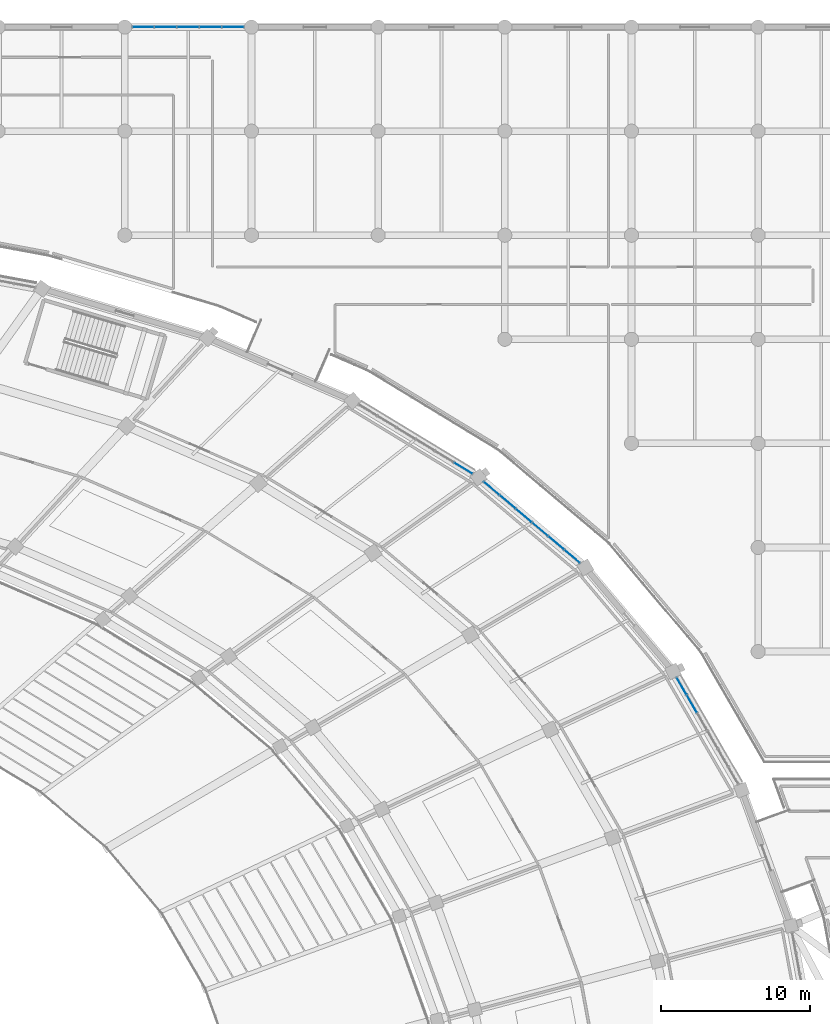
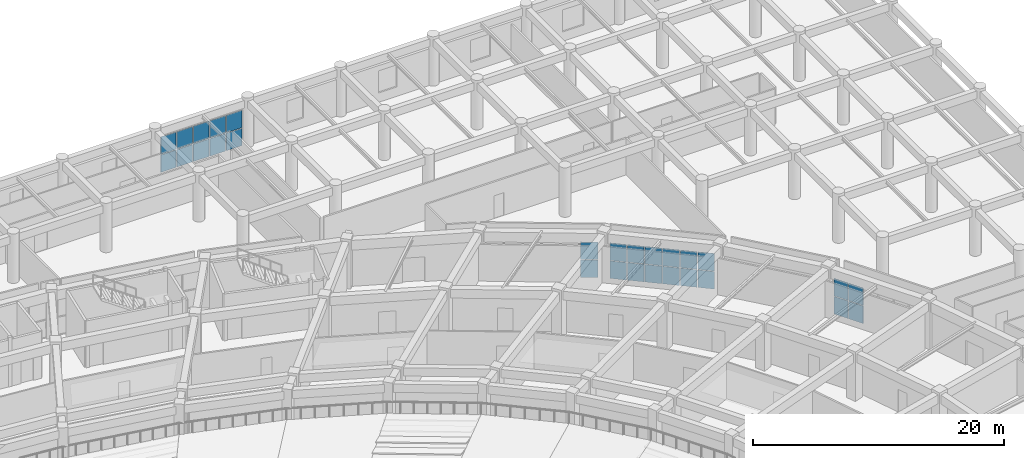
# One storey, part 93 of 152: 28 plates, 4 elements without a shape of their own.
"""IFC4 building model written with IfcOpenShell, lengths in metres."""

from ifc_helpers import new_model, si_unit, direction, frame, origin, origin_2d, place, context, subcontext, project, spatial, rectangle, extrude, material, layer, layer_set, type_object, element, aggregate, save


model = new_model("IFC4")

# Units and contexts
model_context = context("Model", 3, precision=1e-05, world=origin(), true_north=direction((0.0, 1.0)))
body_context = subcontext(model_context, "Body", "Model", "MODEL_VIEW")
ifc_project = project(units=[si_unit("LENGTHUNIT", "METRE"), si_unit("AREAUNIT", "SQUARE_METRE"), si_unit("VOLUMEUNIT", "CUBIC_METRE"), si_unit("PLANEANGLEUNIT", "RADIAN"), si_unit("MASSUNIT", "GRAM", prefix="KILO")], contexts=[model_context])

# Site, building, storey
site_placement = place(None, origin())
site = spatial("IfcSite", under=ifc_project, at=site_placement, CompositionType="ELEMENT")
building_placement = place(site_placement, origin())
building = spatial("IfcBuilding", under=site, at=building_placement, Name="Mphavela Belvedere Stadium", CompositionType="ELEMENT")
storey_placement = place(building_placement, frame((0.0, 0.0, 5.39990234375)))
storey = spatial("IfcBuildingStorey", under=building, at=storey_placement, Name="L01", CompositionType="ELEMENT", Elevation=5.39990234375)

# Curtain wall, plates
ifc_material_1 = material(Name="Anodised bronze unitised curtain wall framing")
ifc_layer_1 = layer(ifc_material_1, 0.18505859375)
ifc_layer_set_1 = layer_set([ifc_layer_1], Name="Anodised bronze unitised curtain wall framing")
curtain_wall_type_1 = type_object("IfcCurtainWallType", Name="CW-UNIT-02", PredefinedType="USERDEFINED", material=ifc_layer_set_1)
curtain_wall_1_placement = place(storey_placement, origin())
curtain_wall_1 = element("IfcCurtainWall", 1, at=curtain_wall_1_placement, inside=storey, type_object=curtain_wall_type_1, Name="Belvedere colonnade curtain wall L01-04", ObjectType="UNITISED CURTAIN WALL", PredefinedType="USERDEFINED")
ifc_material_2 = material(Name="Solar-control double glazing", Category="glass")
ifc_layer_2 = layer(ifc_material_2, 0.031982421875)
ifc_layer_set_2 = layer_set([ifc_layer_2], Name="Solar-control double glazing")
plate_type = type_object("IfcPlateType", Name="CWP-SOLAR-GLASS", PredefinedType="CURTAIN_PANEL", material=ifc_layer_set_2)
plate_1_placement = place(storey_placement, frame((208.501708984375, 128.483642578125, 0.06005859375), z_axis=(0.0, 0.0, 1.0), x_axis=(-0.500560586125, 0.865701507229, 0.0)))
plate_1 = element("IfcPlate", 2, at=plate_1_placement, type_object=plate_type, Name="CW-02 panel 5.1", PredefinedType="CURTAIN_PANEL", context=body_context, shape_type="SweptSolid", body=[
    extrude(rectangle(XDim=1.330078125, YDim=0.031982421875, at=origin_2d()), origin(), (0.0, 0.0, 1.0), 1.695068359375),
])
plate_2_placement = place(storey_placement, frame((208.501708984375, 128.483642578125, 1.81494140625), z_axis=(0.0, 0.0, 1.0), x_axis=(-0.500560586125, 0.865701507229, 0.0)))
plate_2 = element("IfcPlate", 3, at=plate_2_placement, type_object=plate_type, Name="CW-02 panel 5.2", PredefinedType="CURTAIN_PANEL", context=body_context, shape_type="SweptSolid", body=[
    extrude(rectangle(XDim=1.330078125, YDim=0.031982421875, at=origin_2d()), origin(), (0.0, 0.0, 1.0), 1.695068359375),
])
plate_3_placement = place(storey_placement, frame((207.8115234375, 129.67724609375, 0.06005859375), z_axis=(0.0, 0.0, 1.0), x_axis=(-0.500560586125, 0.865701507229, 0.0)))
plate_3 = element("IfcPlate", 4, at=plate_3_placement, type_object=plate_type, Name="CW-02 panel 6.1", PredefinedType="CURTAIN_PANEL", context=body_context, shape_type="SweptSolid", body=[
    extrude(rectangle(XDim=1.297607421875, YDim=0.031982421875, at=origin_2d()), origin(), (0.0, 0.0, 1.0), 1.695068359375),
])
plate_4_placement = place(storey_placement, frame((207.8115234375, 129.67724609375, 1.81494140625), z_axis=(0.0, 0.0, 1.0), x_axis=(-0.500560586125, 0.865701507229, 0.0)))
plate_4 = element("IfcPlate", 5, at=plate_4_placement, type_object=plate_type, Name="CW-02 panel 6.2", PredefinedType="CURTAIN_PANEL", context=body_context, shape_type="SweptSolid", body=[
    extrude(rectangle(XDim=1.297607421875, YDim=0.031982421875, at=origin_2d()), origin(), (0.0, 0.0, 1.0), 1.695068359375),
])
aggregate(curtain_wall_1, [plate_1, plate_2, plate_3, plate_4])

ifc_material_3 = material(Name="Anodised bronze unitised curtain wall framing")
ifc_layer_3 = layer(ifc_material_3, 0.18994140625)
ifc_layer_set_3 = layer_set([ifc_layer_3], Name="Anodised bronze unitised curtain wall framing")
curtain_wall_type_2 = type_object("IfcCurtainWallType", Name="CW-UNIT-03", PredefinedType="USERDEFINED", material=ifc_layer_set_3)
curtain_wall_2_placement = place(storey_placement, origin())
curtain_wall_2 = element("IfcCurtainWall", 6, at=curtain_wall_2_placement, inside=storey, type_object=curtain_wall_type_2, Name="Belvedere colonnade curtain wall L01-06", ObjectType="UNITISED CURTAIN WALL", PredefinedType="USERDEFINED")
plate_5_placement = place(storey_placement, frame((200.4580078125, 138.396484375, 0.06005859375), z_axis=(0.0, 0.0, 1.0), x_axis=(-0.76425888519, 0.644909572272, 0.0)))
plate_5 = element("IfcPlate", 7, at=plate_5_placement, type_object=plate_type, Name="CW-03 panel 1.1", PredefinedType="CURTAIN_PANEL", context=body_context, shape_type="SweptSolid", body=[
    extrude(rectangle(XDim=1.327880859375, YDim=0.031982421875, at=origin_2d()), origin(), (0.0, 0.0, 1.0), 1.695068359375),
])
plate_6_placement = place(storey_placement, frame((200.4580078125, 138.396484375, 1.81494140625), z_axis=(0.0, 0.0, 1.0), x_axis=(-0.76425888519, 0.644909572272, 0.0)))
plate_6 = element("IfcPlate", 8, at=plate_6_placement, type_object=plate_type, Name="CW-03 panel 1.2", PredefinedType="CURTAIN_PANEL", context=body_context, shape_type="SweptSolid", body=[
    extrude(rectangle(XDim=1.327880859375, YDim=0.031982421875, at=origin_2d()), origin(), (0.0, 0.0, 1.0), 1.695068359375),
])
plate_7_placement = place(storey_placement, frame((199.380859375, 139.30517578125, 0.06005859375), z_axis=(0.0, 0.0, 1.0), x_axis=(-0.76425888519, 0.644909572272, 0.0)))
plate_7 = element("IfcPlate", 9, at=plate_7_placement, type_object=plate_type, Name="CW-03 panel 2.1", PredefinedType="CURTAIN_PANEL", context=body_context, shape_type="SweptSolid", body=[
    extrude(rectangle(XDim=1.3603515625, YDim=0.031982421875, at=origin_2d()), origin(), (0.0, 0.0, 1.0), 1.695068359375),
])
plate_8_placement = place(storey_placement, frame((199.380859375, 139.30517578125, 1.81494140625), z_axis=(0.0, 0.0, 1.0), x_axis=(-0.76425888519, 0.644909572272, 0.0)))
plate_8 = element("IfcPlate", 10, at=plate_8_placement, type_object=plate_type, Name="CW-03 panel 2.2", PredefinedType="CURTAIN_PANEL", context=body_context, shape_type="SweptSolid", body=[
    extrude(rectangle(XDim=1.3603515625, YDim=0.031982421875, at=origin_2d()), origin(), (0.0, 0.0, 1.0), 1.695068359375),
])
plate_9_placement = place(storey_placement, frame((198.29150390625, 140.224365234375, 0.06005859375), z_axis=(0.0, 0.0, 1.0), x_axis=(-0.76425888519, 0.644909572272, 0.0)))
plate_9 = element("IfcPlate", 11, at=plate_9_placement, type_object=plate_type, Name="CW-03 panel 3.1", PredefinedType="CURTAIN_PANEL", context=body_context, shape_type="SweptSolid", body=[
    extrude(rectangle(XDim=1.3603515625, YDim=0.031982421875, at=origin_2d()), origin(), (0.0, 0.0, 1.0), 1.695068359375),
])
plate_10_placement = place(storey_placement, frame((198.29150390625, 140.224365234375, 1.81494140625), z_axis=(0.0, 0.0, 1.0), x_axis=(-0.76425888519, 0.644909572272, 0.0)))
plate_10 = element("IfcPlate", 12, at=plate_10_placement, type_object=plate_type, Name="CW-03 panel 3.2", PredefinedType="CURTAIN_PANEL", context=body_context, shape_type="SweptSolid", body=[
    extrude(rectangle(XDim=1.3603515625, YDim=0.031982421875, at=origin_2d()), origin(), (0.0, 0.0, 1.0), 1.695068359375),
])
plate_11_placement = place(storey_placement, frame((197.202392578125, 141.1435546875, 0.06005859375), z_axis=(0.0, 0.0, 1.0), x_axis=(-0.76425888519, 0.644909572272, 0.0)))
plate_11 = element("IfcPlate", 13, at=plate_11_placement, type_object=plate_type, Name="CW-03 panel 4.1", PredefinedType="CURTAIN_PANEL", context=body_context, shape_type="SweptSolid", body=[
    extrude(rectangle(XDim=1.3603515625, YDim=0.031982421875, at=origin_2d()), origin(), (0.0, 0.0, 1.0), 1.695068359375),
])
plate_12_placement = place(storey_placement, frame((197.202392578125, 141.1435546875, 1.81494140625), z_axis=(0.0, 0.0, 1.0), x_axis=(-0.76425888519, 0.644909572272, 0.0)))
plate_12 = element("IfcPlate", 14, at=plate_12_placement, type_object=plate_type, Name="CW-03 panel 4.2", PredefinedType="CURTAIN_PANEL", context=body_context, shape_type="SweptSolid", body=[
    extrude(rectangle(XDim=1.3603515625, YDim=0.031982421875, at=origin_2d()), origin(), (0.0, 0.0, 1.0), 1.695068359375),
])
plate_13_placement = place(storey_placement, frame((196.113037109375, 142.062744140625, 0.06005859375), z_axis=(0.0, 0.0, 1.0), x_axis=(-0.76425888519, 0.644909572272, 0.0)))
plate_13 = element("IfcPlate", 15, at=plate_13_placement, type_object=plate_type, Name="CW-03 panel 5.1", PredefinedType="CURTAIN_PANEL", context=body_context, shape_type="SweptSolid", body=[
    extrude(rectangle(XDim=1.3603515625, YDim=0.031982421875, at=origin_2d()), origin(), (0.0, 0.0, 1.0), 1.695068359375),
])
plate_14_placement = place(storey_placement, frame((196.113037109375, 142.062744140625, 1.81494140625), z_axis=(0.0, 0.0, 1.0), x_axis=(-0.76425888519, 0.644909572272, 0.0)))
plate_14 = element("IfcPlate", 16, at=plate_14_placement, type_object=plate_type, Name="CW-03 panel 5.2", PredefinedType="CURTAIN_PANEL", context=body_context, shape_type="SweptSolid", body=[
    extrude(rectangle(XDim=1.3603515625, YDim=0.031982421875, at=origin_2d()), origin(), (0.0, 0.0, 1.0), 1.695068359375),
])
plate_15_placement = place(storey_placement, frame((195.035888671875, 142.9716796875, 0.06005859375), z_axis=(0.0, 0.0, 1.0), x_axis=(-0.76425888519, 0.644909572272, 0.0)))
plate_15 = element("IfcPlate", 17, at=plate_15_placement, type_object=plate_type, Name="CW-03 panel 6.1", PredefinedType="CURTAIN_PANEL", context=body_context, shape_type="SweptSolid", body=[
    extrude(rectangle(XDim=1.327880859375, YDim=0.031982421875, at=origin_2d()), origin(), (0.0, 0.0, 1.0), 1.695068359375),
])
plate_16_placement = place(storey_placement, frame((195.035888671875, 142.9716796875, 1.81494140625), z_axis=(0.0, 0.0, 1.0), x_axis=(-0.76425888519, 0.644909572272, 0.0)))
plate_16 = element("IfcPlate", 18, at=plate_16_placement, type_object=plate_type, Name="CW-03 panel 6.2", PredefinedType="CURTAIN_PANEL", context=body_context, shape_type="SweptSolid", body=[
    extrude(rectangle(XDim=1.327880859375, YDim=0.031982421875, at=origin_2d()), origin(), (0.0, 0.0, 1.0), 1.695068359375),
])
aggregate(curtain_wall_2, [plate_5, plate_6, plate_7, plate_8, plate_9, plate_10, plate_11, plate_12, plate_13, plate_14, plate_15, plate_16])

ifc_material_4 = material(Name="Anodised bronze unitised curtain wall framing")
ifc_layer_4 = layer(ifc_material_4, 0.195068359375)
ifc_layer_set_4 = layer_set([ifc_layer_4], Name="Anodised bronze unitised curtain wall framing")
curtain_wall_type_3 = type_object("IfcCurtainWallType", Name="CW-UNIT-04", PredefinedType="USERDEFINED", material=ifc_layer_set_4)
curtain_wall_3_placement = place(storey_placement, origin())
curtain_wall_3 = element("IfcCurtainWall", 19, at=curtain_wall_3_placement, inside=storey, type_object=curtain_wall_type_3, Name="Belvedere colonnade curtain wall L01-07", ObjectType="UNITISED CURTAIN WALL", PredefinedType="USERDEFINED")
plate_17_placement = place(storey_placement, frame((193.135498046875, 144.3349609375, 0.06005859375), z_axis=(0.0, 0.0, 1.0), x_axis=(-0.8543277514, 0.51973463728, 0.0)))
plate_17 = element("IfcPlate", 20, at=plate_17_placement, type_object=plate_type, Name="CW-04 panel 1.1", PredefinedType="CURTAIN_PANEL", context=body_context, shape_type="SweptSolid", body=[
    extrude(rectangle(XDim=1.411865234375, YDim=0.031982421875, at=origin_2d()), origin(), (0.0, 0.0, 1.0), 1.695068359375),
])
plate_18_placement = place(storey_placement, frame((193.135498046875, 144.3349609375, 1.81494140625), z_axis=(0.0, 0.0, 1.0), x_axis=(-0.8543277514, 0.51973463728, 0.0)))
plate_18 = element("IfcPlate", 21, at=plate_18_placement, type_object=plate_type, Name="CW-04 panel 1.2", PredefinedType="CURTAIN_PANEL", context=body_context, shape_type="SweptSolid", body=[
    extrude(rectangle(XDim=1.411865234375, YDim=0.031982421875, at=origin_2d()), origin(), (0.0, 0.0, 1.0), 1.695068359375),
])
aggregate(curtain_wall_3, [plate_17, plate_18])

curtain_wall_4_placement = place(storey_placement, origin())
curtain_wall_4 = element("IfcCurtainWall", 22, at=curtain_wall_4_placement, inside=storey, type_object=curtain_wall_type_2, Name="North Mast and Ceremonial End Forecourt gallery curtain wall L01-21", ObjectType="UNITISED CURTAIN WALL", PredefinedType="USERDEFINED")
plate_19_placement = place(storey_placement, frame((171.616455078125, 174.0, 0.06005859375), z_axis=(0.0, 0.0, 1.0), x_axis=(1.0, 0.0, 0.0)))
plate_19 = element("IfcPlate", 23, at=plate_19_placement, type_object=plate_type, Name="CW-03 panel 1.1", PredefinedType="CURTAIN_PANEL", context=body_context, shape_type="SweptSolid", body=[
    extrude(rectangle(XDim=1.4169921875, YDim=0.031982421875, at=origin_2d()), origin(), (0.0, 0.0, 1.0), 1.68994140625),
])
plate_20_placement = place(storey_placement, frame((171.616455078125, 174.0, 1.81005859375), z_axis=(0.0, 0.0, 1.0), x_axis=(1.0, 0.0, 0.0)))
plate_20 = element("IfcPlate", 24, at=plate_20_placement, type_object=plate_type, Name="CW-03 panel 1.2", PredefinedType="CURTAIN_PANEL", context=body_context, shape_type="SweptSolid", body=[
    extrude(rectangle(XDim=1.4169921875, YDim=0.031982421875, at=origin_2d()), origin(), (0.0, 0.0, 1.0), 1.68994140625),
])
plate_21_placement = place(storey_placement, frame((173.114990234375, 174.0, 0.06005859375), z_axis=(0.0, 0.0, 1.0), x_axis=(1.0, 0.0, 0.0)))
plate_21 = element("IfcPlate", 25, at=plate_21_placement, type_object=plate_type, Name="CW-03 panel 2.1", PredefinedType="CURTAIN_PANEL", context=body_context, shape_type="SweptSolid", body=[
    extrude(rectangle(XDim=1.44970703125, YDim=0.031982421875, at=origin_2d()), origin(), (0.0, 0.0, 1.0), 1.68994140625),
])
plate_22_placement = place(storey_placement, frame((173.114990234375, 174.0, 1.81005859375), z_axis=(0.0, 0.0, 1.0), x_axis=(1.0, 0.0, 0.0)))
plate_22 = element("IfcPlate", 26, at=plate_22_placement, type_object=plate_type, Name="CW-03 panel 2.2", PredefinedType="CURTAIN_PANEL", context=body_context, shape_type="SweptSolid", body=[
    extrude(rectangle(XDim=1.44970703125, YDim=0.031982421875, at=origin_2d()), origin(), (0.0, 0.0, 1.0), 1.68994140625),
])
plate_23_placement = place(storey_placement, frame((174.62939453125, 174.0, 0.06005859375), z_axis=(0.0, 0.0, 1.0), x_axis=(1.0, 0.0, 0.0)))
plate_23 = element("IfcPlate", 27, at=plate_23_placement, type_object=plate_type, Name="CW-03 panel 3.1", PredefinedType="CURTAIN_PANEL", context=body_context, shape_type="SweptSolid", body=[
    extrude(rectangle(XDim=1.44970703125, YDim=0.031982421875, at=origin_2d()), origin(), (0.0, 0.0, 1.0), 1.68994140625),
])
plate_24_placement = place(storey_placement, frame((174.62939453125, 174.0, 1.81005859375), z_axis=(0.0, 0.0, 1.0), x_axis=(1.0, 0.0, 0.0)))
plate_24 = element("IfcPlate", 28, at=plate_24_placement, type_object=plate_type, Name="CW-03 panel 3.2", PredefinedType="CURTAIN_PANEL", context=body_context, shape_type="SweptSolid", body=[
    extrude(rectangle(XDim=1.44970703125, YDim=0.031982421875, at=origin_2d()), origin(), (0.0, 0.0, 1.0), 1.68994140625),
])
plate_25_placement = place(storey_placement, frame((176.14404296875, 174.0, 0.06005859375), z_axis=(0.0, 0.0, 1.0), x_axis=(1.0, 0.0, 0.0)))
plate_25 = element("IfcPlate", 29, at=plate_25_placement, type_object=plate_type, Name="CW-03 panel 4.1", PredefinedType="CURTAIN_PANEL", context=body_context, shape_type="SweptSolid", body=[
    extrude(rectangle(XDim=1.44970703125, YDim=0.031982421875, at=origin_2d()), origin(), (0.0, 0.0, 1.0), 1.68994140625),
])
plate_26_placement = place(storey_placement, frame((176.14404296875, 174.0, 1.81005859375), z_axis=(0.0, 0.0, 1.0), x_axis=(1.0, 0.0, 0.0)))
plate_26 = element("IfcPlate", 30, at=plate_26_placement, type_object=plate_type, Name="CW-03 panel 4.2", PredefinedType="CURTAIN_PANEL", context=body_context, shape_type="SweptSolid", body=[
    extrude(rectangle(XDim=1.44970703125, YDim=0.031982421875, at=origin_2d()), origin(), (0.0, 0.0, 1.0), 1.68994140625),
])
plate_27_placement = place(storey_placement, frame((177.642333984375, 174.0, 0.06005859375), z_axis=(0.0, 0.0, 1.0), x_axis=(1.0, 0.0, 0.0)))
plate_27 = element("IfcPlate", 31, at=plate_27_placement, type_object=plate_type, Name="CW-03 panel 5.1", PredefinedType="CURTAIN_PANEL", context=body_context, shape_type="SweptSolid", body=[
    extrude(rectangle(XDim=1.4169921875, YDim=0.031982421875, at=origin_2d()), origin(), (0.0, 0.0, 1.0), 1.68994140625),
])
plate_28_placement = place(storey_placement, frame((177.642333984375, 174.0, 1.81005859375), z_axis=(0.0, 0.0, 1.0), x_axis=(1.0, 0.0, 0.0)))
plate_28 = element("IfcPlate", 32, at=plate_28_placement, type_object=plate_type, Name="CW-03 panel 5.2", PredefinedType="CURTAIN_PANEL", context=body_context, shape_type="SweptSolid", body=[
    extrude(rectangle(XDim=1.4169921875, YDim=0.031982421875, at=origin_2d()), origin(), (0.0, 0.0, 1.0), 1.68994140625),
])
aggregate(curtain_wall_4, [plate_19, plate_20, plate_21, plate_22, plate_23, plate_24, plate_25, plate_26, plate_27, plate_28])

save(model, "model.ifc")
